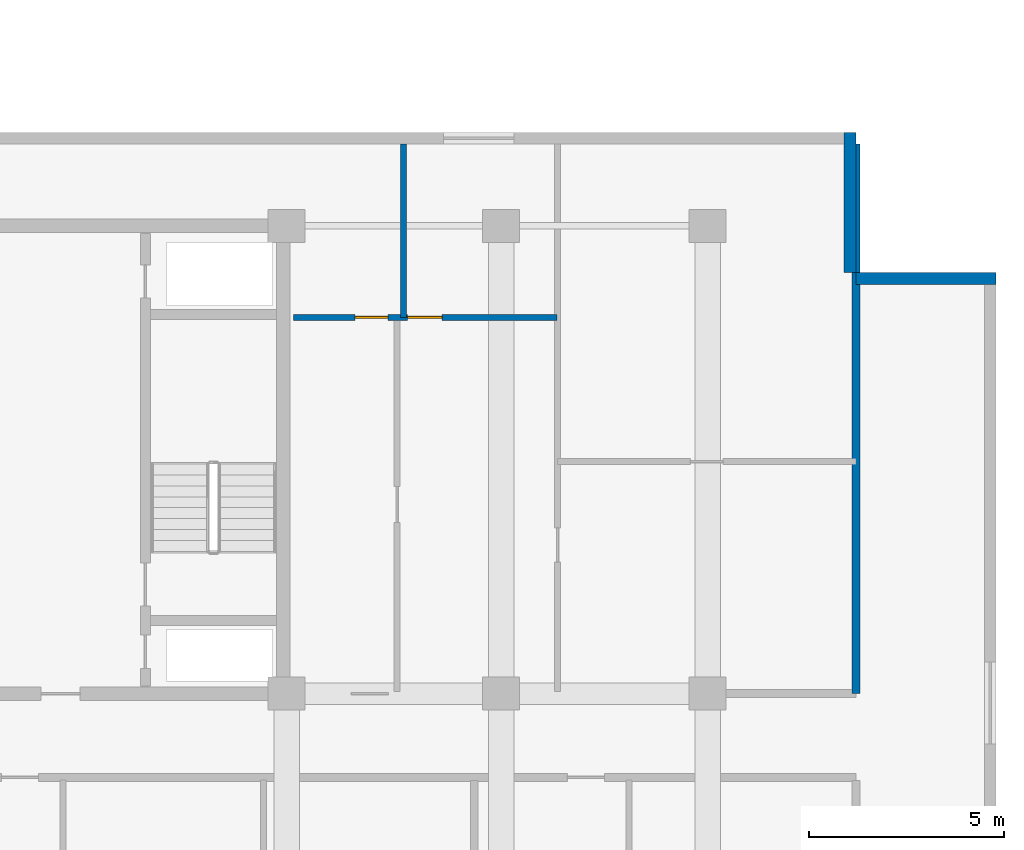
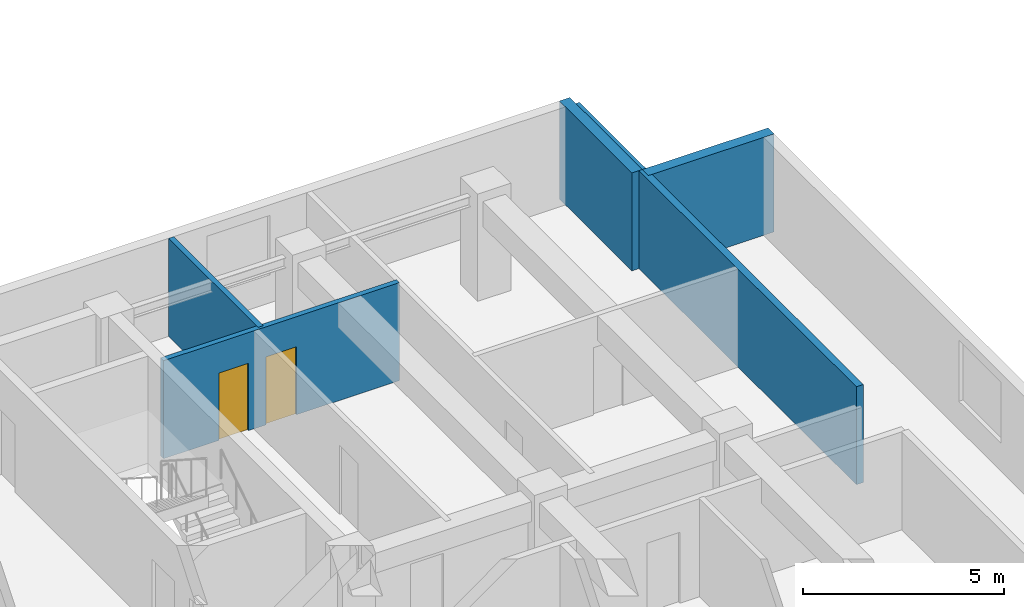
# One storey, part 9 of 24: 5 walls, 2 doors, 2 openings.
"""IFC4 building model written with IfcOpenShell, lengths in metres."""

from ifc_helpers import new_model, si_unit, direction, frame, frame_2d, origin, place, context, subcontext, project, spatial, rectangle, extrude, material, layer, layer_set, type_object, element, fill, save


model = new_model("IFC4")

# Units and contexts
model_context = context("Model", 3, precision=1e-05, world=origin(), true_north=direction((0.0, 1.0)))
body_context = subcontext(model_context, "Body", "Model", "MODEL_VIEW")
ifc_project = project(units=[si_unit("LENGTHUNIT", "METRE"), si_unit("AREAUNIT", "SQUARE_METRE"), si_unit("VOLUMEUNIT", "CUBIC_METRE"), si_unit("PLANEANGLEUNIT", "RADIAN"), si_unit("MASSUNIT", "GRAM", prefix="KILO")], contexts=[model_context])

# Site, building, storey
site_placement = place(None, origin())
site = spatial("IfcSite", under=ifc_project, at=site_placement, CompositionType="ELEMENT")
building_placement = place(site_placement, origin())
building = spatial("IfcBuilding", under=site, at=building_placement, Name="Korimba Cascade Residences", CompositionType="ELEMENT")
storey_placement = place(building_placement, frame((0.0, 0.0, 63.0)))
storey = spatial("IfcBuildingStorey", under=building, at=storey_placement, Name="L17", CompositionType="ELEMENT", Elevation=63.0)

# Walls
ifc_material_1 = material(Name="Precast concrete C40/50", Category="concrete")
ifc_layer_1 = layer(ifc_material_1, 0.300048828125)
ifc_layer_set_1 = layer_set([ifc_layer_1], Name="Precast concrete C40/50")
wall_type_1 = type_object("IfcWallType", Name="EW-STONE-300", PredefinedType="STANDARD", material=ifc_layer_set_1)
for number, where, z_axis, x_axis, name in (
    (1, (136.300048828125, 29.050048828125, 0.0), (0.0, 0.0, 1.0), (-1.0, 0.0, 0.0), "L17 T2 Perimeter Stone Wall E04"),
    (2, (132.550048828125, 29.199951171875, 0.0), (0.0, 0.0, 1.0), (0.0, 1.0, 0.0), "L17 T2 Perimeter Stone Wall E05"),
):
    element("IfcWall", number, at=place(storey_placement, frame(where, z_axis=z_axis, x_axis=x_axis)), inside=storey, type_object=wall_type_1, Name=name, PredefinedType="STANDARD", context=body_context, shape_type="SweptSolid", body=[
        extrude(rectangle(XDim=3.60009765625, YDim=0.300048828125, at=frame_2d((1.800048828125, 0.0))), origin(), (0.0, 0.0, 1.0), 2.969970703125),
    ])
ifc_layer_2 = layer(ifc_material_1, 0.199951171875)
ifc_layer_set_2 = layer_set([ifc_layer_2], Name="Precast concrete C40/50")
wall_type_2 = type_object("IfcWallType", Name="WAL-IT-200", PredefinedType="PARTITIONING", material=ifc_layer_set_2)
wall_1_placement = place(storey_placement, frame((132.699951171875, 18.39990234375, 0.0), z_axis=(0.0, 0.0, 1.0), x_axis=(0.0, 1.0, 0.0)))
element("IfcWall", 3, at=wall_1_placement, inside=storey, type_object=wall_type_2, Name="L17 Partition Wall WAL-L17-T2-FE-WR", PredefinedType="PARTITIONING", context=body_context, shape_type="SweptSolid", body=[
    extrude(rectangle(XDim=14.10009765625, YDim=0.199951171875, at=frame_2d((7.050048828125, 0.0))), origin(), (0.0, 0.0, 1.0), 2.969970703125),
])
ifc_material_2 = material(Name="Insulated Acoustic Stud Partition", Category="gypsum")
ifc_layer_3 = layer(ifc_material_2, 0.14990234375)
ifc_layer_set_3 = layer_set([ifc_layer_3], Name="Insulated Acoustic Stud Partition")
wall_type_3 = type_object("IfcWallType", Name="WAL-PART-150", PredefinedType="PARTITIONING", material=ifc_layer_set_3)
wall_2_placement = place(storey_placement, frame((121.10009765625, 28.050048828125, 0.0), z_axis=(0.0, 0.0, 1.0), x_axis=(0.0, 1.0, 0.0)))
element("IfcWall", 4, at=wall_2_placement, inside=storey, type_object=wall_type_3, Name="L17 Partition Wall WAL-L17-T2-FE-VN", PredefinedType="PARTITIONING", context=body_context, shape_type="SweptSolid", body=[
    extrude(rectangle(XDim=4.449951171875, YDim=0.14990234375, at=frame_2d((2.22509765625, 0.0))), origin(), (0.0, 0.0, 1.0), 2.969970703125),
])

# Wall, openings, doors
wall_3_placement = place(storey_placement, frame((118.27001953125, 28.050048828125, 0.0), z_axis=(0.0, 0.0, 1.0), x_axis=(1.0, 0.0, 0.0)))
wall_3 = element("IfcWall", 5, at=wall_3_placement, inside=storey, type_object=wall_type_3, Name="L17 Partition Wall WAL-L17-T2-FE-H", PredefinedType="PARTITIONING", context=body_context, shape_type="SweptSolid", body=[
    extrude(rectangle(XDim=6.760009765625, YDim=0.14990234375, at=frame_2d((3.3798828125, 0.0))), origin(), (0.0, 0.0, 1.0), 2.969970703125),
])
opening_1_placement = place(wall_3_placement, frame((1.58740234375, 0.0, 0.0)))
opening_1 = element("IfcOpeningElement", 6, at=opening_1_placement, cuts=wall_3, Name="Opening D-BT1", PredefinedType="OPENING", context=body_context, shape_type="SweptSolid", body=[
    extrude(rectangle(XDim=0.840087890625, YDim=2.0400390625, at=frame_2d((0.419921875, 1.02001953125))), frame((0.0, 0.0849609375, 0.0), z_axis=(0.0, -1.0, 0.0), x_axis=(1.0, 0.0, 0.0)), (0.0, 0.0, 1.0), 0.169921875),
])
opening_2_placement = place(wall_3_placement, frame((2.93408203125, 0.0, 0.0)))
opening_2 = element("IfcOpeningElement", 7, at=opening_2_placement, cuts=wall_3, Name="Opening D-IN2", PredefinedType="OPENING", context=body_context, shape_type="SweptSolid", body=[
    extrude(rectangle(XDim=0.8798828125, YDim=2.06005859375, at=frame_2d((0.43994140625, 1.030029296875))), frame((0.0, 0.0849609375, 0.0), z_axis=(0.0, -1.0, 0.0), x_axis=(1.0, 0.0, 0.0)), (0.0, 0.0, 1.0), 0.169921875),
])
ifc_material_3 = material(Name="Moisture-Resistant Bathroom Timber Door", Category="wood")
door_type_1 = type_object("IfcDoorType", Name="DR-INT-850", OperationType="NOTDEFINED", PredefinedType="DOOR", material=ifc_material_3)
door_1_placement = place(opening_1_placement, origin())
door_1 = element("IfcDoor", 8, at=door_1_placement, inside=storey, type_object=door_type_1, Name="L17-T2-FE Bathroom Door", OperationType="SINGLE_SWING_LEFT", OverallHeight=2.0400390625, OverallWidth=0.840087890625, PredefinedType="DOOR", context=body_context, shape_type="SweptSolid", body=[
    extrude(rectangle(XDim=0.840087890625, YDim=2.0400390625, at=frame_2d((0.419921875, 1.02001953125))), frame((0.0, 0.02490234375, 0.0), z_axis=(0.0, -1.0, 0.0), x_axis=(1.0, 0.0, 0.0)), (0.0, 0.0, 1.0), 0.050048828125),
])
fill(opening_1, door_1)
ifc_material_4 = material(Name="Acoustic Timber Bedroom Door", Category="wood")
door_type_2 = type_object("IfcDoorType", Name="DR-INT-880", OperationType="NOTDEFINED", PredefinedType="DOOR", material=ifc_material_4)
door_2_placement = place(opening_2_placement, origin())
door_2 = element("IfcDoor", 9, at=door_2_placement, inside=storey, type_object=door_type_2, Name="L17-T2-FE Bedroom Door", OperationType="SINGLE_SWING_RIGHT", OverallHeight=2.06005859375, OverallWidth=0.8798828125, PredefinedType="DOOR", context=body_context, shape_type="SweptSolid", body=[
    extrude(rectangle(XDim=0.8798828125, YDim=2.06005859375, at=frame_2d((0.43994140625, 1.030029296875))), frame((0.0, 0.02490234375, 0.0), z_axis=(0.0, -1.0, 0.0), x_axis=(1.0, 0.0, 0.0)), (0.0, 0.0, 1.0), 0.050048828125),
])
fill(opening_2, door_2)

save(model, "model.ifc")
